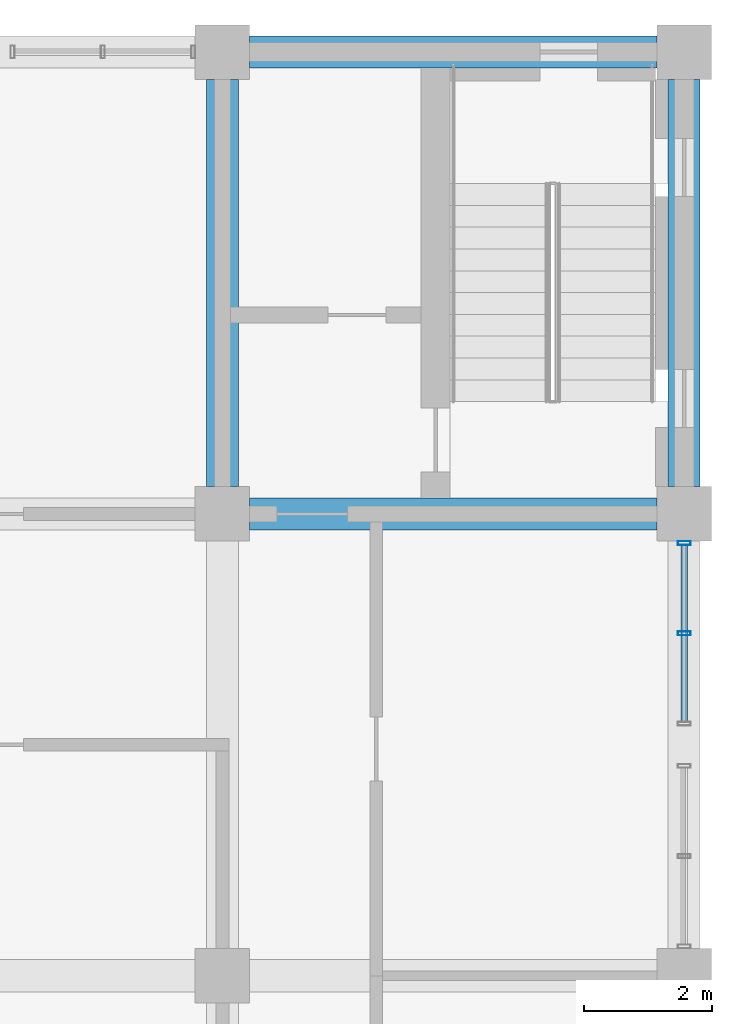
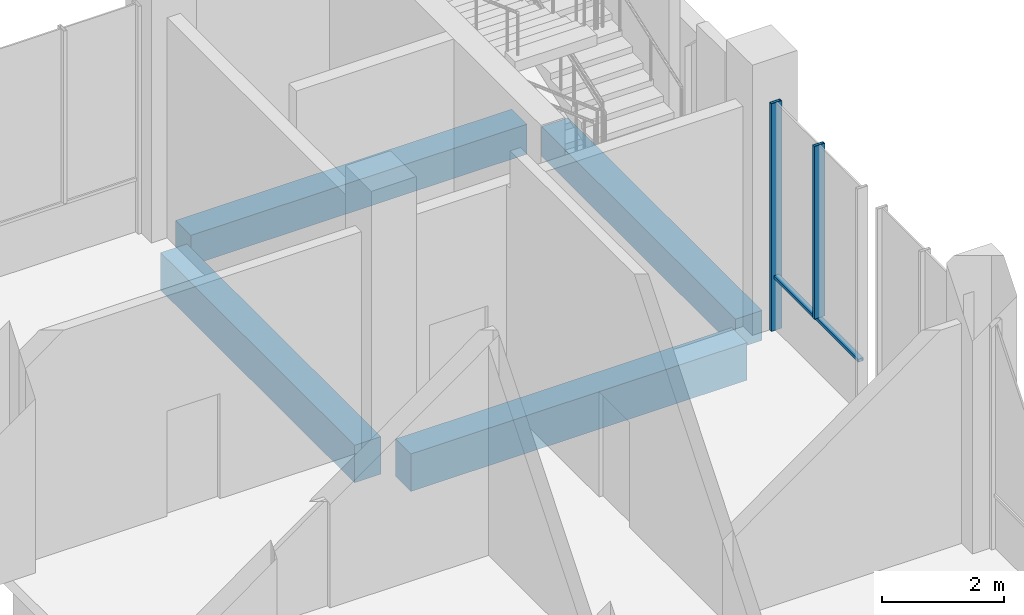
# One storey, part 20 of 48: 4 beams, 3 members, 1 element without a shape of its own.
"""IFC4 building model written with IfcOpenShell, lengths in metres."""

from ifc_helpers import new_model, si_unit, direction, frame, origin, origin_2d, place, context, subcontext, project, spatial, rectangle, hollow_rectangle, extrude, material, material_profile, profile_set, type_object, element, aggregate, save


model = new_model("IFC4")

# Units and contexts
model_context = context("Model", 3, precision=1e-05, world=origin(), true_north=direction((0.0, 1.0)))
body_context = subcontext(model_context, "Body", "Model", "MODEL_VIEW")
ifc_project = project(units=[si_unit("LENGTHUNIT", "METRE"), si_unit("AREAUNIT", "SQUARE_METRE"), si_unit("VOLUMEUNIT", "CUBIC_METRE"), si_unit("PLANEANGLEUNIT", "RADIAN"), si_unit("MASSUNIT", "GRAM", prefix="KILO")], contexts=[model_context])

# Site, building, storey
site_placement = place(None, origin())
site = spatial("IfcSite", under=ifc_project, at=site_placement, CompositionType="ELEMENT")
building_placement = place(site_placement, origin())
building = spatial("IfcBuilding", under=site, at=building_placement, Name="Silangan Lancet Faculty of Sciences", CompositionType="ELEMENT")
storey_placement = place(building_placement, frame((0.0, 0.0, 6.0)))
storey = spatial("IfcBuildingStorey", under=building, at=storey_placement, Name="L01", CompositionType="ELEMENT", Elevation=6.0)

# Beams
ifc_material_1 = material(Name="Concrete C40/50", Category="concrete")
ifc_material_profile_1 = material_profile(ifc_material_1, rectangle(XDim=0.5, YDim=0.60009765625, at=origin_2d()), Name="RC 500x600")
ifc_profile_set_1 = profile_set([ifc_material_profile_1], Name="Concrete C40/50")
beam_type_1 = type_object("IfcBeamType", Name="BEAM RC 500x600", PredefinedType="BEAM", material=ifc_profile_set_1)
for number, where, z_axis, x_axis, name in (
    (1, (79.625, 57.60009765625, -0.550048828125), (1.0, 0.0, 0.0), (0.0, 1.0, 0.0), "BM-L01-12I-13I"),
    (2, (86.39990234375, 50.824951171875, -0.550048828125), (0.0, 1.0, 0.0), (-1.0, 0.0, 0.0), "BM-L01-13H-13I"),
):
    element("IfcBeam", number, at=place(storey_placement, frame(where, z_axis=z_axis, x_axis=x_axis)), inside=storey, type_object=beam_type_1, Name=name, PredefinedType="BEAM", context=body_context, shape_type="SweptSolid", body=[
        extrude(rectangle(XDim=0.5, YDim=0.60009765625, at=origin_2d()), origin(), (0.0, 0.0, 1.0), 6.35009765625),
    ])
ifc_material_2 = material(Name="Concrete C40/50", Category="concrete")
ifc_material_profile_2 = material_profile(ifc_material_2, rectangle(XDim=0.5, YDim=0.75, at=origin_2d()), Name="RC 500x750")
ifc_profile_set_2 = profile_set([ifc_material_profile_2], Name="Concrete C40/50")
beam_type_2 = type_object("IfcBeamType", Name="BEAM RC 500x750", PredefinedType="BEAM", material=ifc_profile_set_2)
for number, where, z_axis, x_axis, name in (
    (3, (79.625, 50.39990234375, -0.625), (1.0, 0.0, 0.0), (0.0, 1.0, 0.0), "BM-L01-12H-13H"),
    (4, (79.199951171875, 50.824951171875, -0.625), (0.0, 1.0, 0.0), (-1.0, 0.0, 0.0), "BM-L01-12H-12I"),
):
    element("IfcBeam", number, at=place(storey_placement, frame(where, z_axis=z_axis, x_axis=x_axis)), inside=storey, type_object=beam_type_2, Name=name, PredefinedType="BEAM", context=body_context, shape_type="SweptSolid", body=[
        extrude(rectangle(XDim=0.5, YDim=0.75, at=origin_2d()), origin(), (0.0, 0.0, 1.0), 6.35009765625),
    ])

# Curtain wall, members
ifc_material_3 = material(Name="Aluminium framed curtain wall with insulated glass", Category="aluminium")
curtain_wall_type = type_object("IfcCurtainWallType", Name="CW1 Commons and east block glazing", PredefinedType="NOTDEFINED", material=ifc_material_3)
curtain_wall_placement = place(storey_placement, origin())
curtain_wall = element("IfcCurtainWall", 5, at=curtain_wall_placement, inside=storey, type_object=curtain_wall_type, Name="CW1 East commons L01 bay 12", PredefinedType="NOTDEFINED")
ifc_material_4 = material(Name="Aluminium 6063-T6 extrusion", Category="aluminium")
ifc_material_profile_3 = material_profile(ifc_material_4, hollow_rectangle(XDim=0.06005859375, YDim=0.199951171875, WallThickness=0.00390625, at=origin_2d()), Name="AL BOX 60x200x4")
ifc_profile_set_3 = profile_set([ifc_material_profile_3], Name="Aluminium 6063-T6 extrusion")
member_type_1 = type_object("IfcMemberType", Name="CM1 Mullion 60x200", PredefinedType="MULLION", material=ifc_profile_set_3)
member_1_placement = place(storey_placement, frame((86.39990234375, 49.945068359375, 0.0), z_axis=(0.0, 0.0, 1.0), x_axis=(0.0, 1.0, 0.0)))
member_1 = element("IfcMember", 6, at=member_1_placement, type_object=member_type_1, Name="CW1 East commons L01 bay 12 mullion 2", PredefinedType="MULLION", context=body_context, shape_type="SweptSolid", body=[
    extrude(hollow_rectangle(XDim=0.06005859375, YDim=0.199951171875, WallThickness=0.00390625, at=origin_2d()), origin(), (0.0, 0.0, 1.0), 4.550048828125),
])
member_2_placement = place(storey_placement, frame((86.39990234375, 48.53759765625, 1.10009765625), z_axis=(0.0, 0.0, 1.0), x_axis=(0.0, 1.0, 0.0)))
member_2 = element("IfcMember", 7, at=member_2_placement, type_object=member_type_1, Name="CW1 East commons L01 bay 12 mullion 3", PredefinedType="MULLION", context=body_context, shape_type="SweptSolid", body=[
    extrude(hollow_rectangle(XDim=0.06005859375, YDim=0.199951171875, WallThickness=0.00390625, at=origin_2d()), origin(), (0.0, 0.0, 1.0), 3.449951171875),
])
ifc_material_5 = material(Name="Aluminium 6063-T6 extrusion", Category="aluminium")
ifc_material_profile_4 = material_profile(ifc_material_5, hollow_rectangle(XDim=0.10009765625, YDim=0.06005859375, WallThickness=0.0029296875, at=origin_2d()), Name="AL BOX 100x60x3")
ifc_profile_set_4 = profile_set([ifc_material_profile_4], Name="Aluminium 6063-T6 extrusion")
member_type_2 = type_object("IfcMemberType", Name="CT1 Transom 100x60", PredefinedType="USERDEFINED", material=ifc_profile_set_4)
member_3_placement = place(storey_placement, frame((86.39990234375, 47.159912109375, 1.070068359375), z_axis=(0.0, 1.0, 0.0), x_axis=(-1.0, 0.0, 0.0)))
member_3 = element("IfcMember", 8, at=member_3_placement, type_object=member_type_2, Name="CW1 East commons L01 bay 12 transom 1", ObjectType="TRANSOM", PredefinedType="USERDEFINED", context=body_context, shape_type="SweptSolid", body=[
    extrude(hollow_rectangle(XDim=0.10009765625, YDim=0.06005859375, WallThickness=0.0029296875, at=origin_2d()), origin(), (0.0, 0.0, 1.0), 2.755126953125),
])
aggregate(curtain_wall, [member_1, member_2, member_3])

save(model, "model.ifc")
